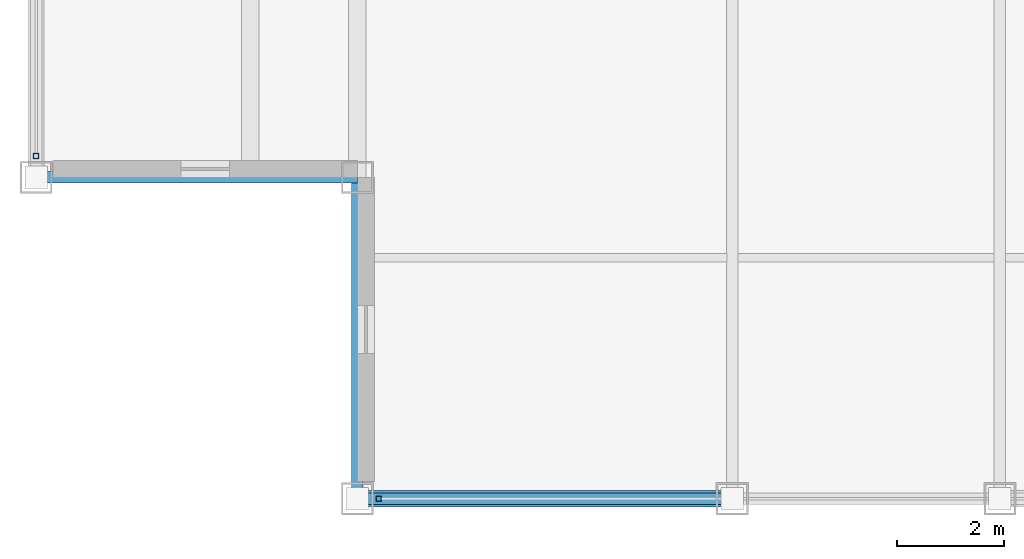
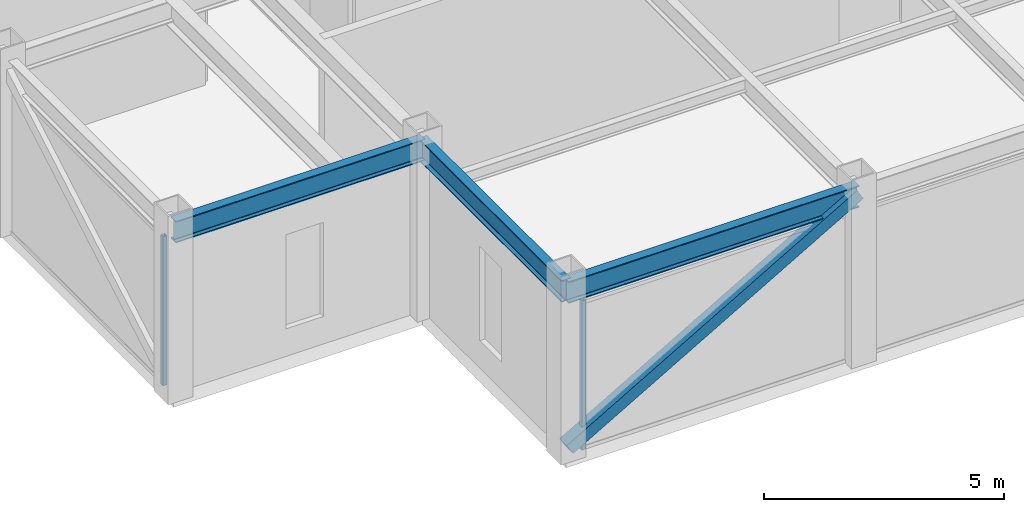
# One storey, part 2 of 27: 3 beams, 3 members, 2 elements without a shape of their own.
"""IFC4 building model written with IfcOpenShell, lengths in metres."""

from ifc_helpers import new_model, si_unit, direction, frame, origin, origin_2d, place, context, subcontext, project, spatial, hollow_rectangle, i_section, extrude, source, transform, mapped, material, material_profile, profile_set, type_object, element, aggregate, save


model = new_model("IFC4")

# Units and contexts
model_context = context("Model", 3, precision=1e-05, world=origin(), true_north=direction((0.0, 1.0)))
body_context = subcontext(model_context, "Body", "Model", "MODEL_VIEW")
ifc_project = project(units=[si_unit("LENGTHUNIT", "METRE"), si_unit("AREAUNIT", "SQUARE_METRE"), si_unit("VOLUMEUNIT", "CUBIC_METRE"), si_unit("PLANEANGLEUNIT", "RADIAN"), si_unit("MASSUNIT", "GRAM", prefix="KILO")], contexts=[model_context])

# Site, building, storey
site_placement = place(None, origin())
site = spatial("IfcSite", under=ifc_project, at=site_placement, CompositionType="ELEMENT")
building_placement = place(site_placement, origin())
building = spatial("IfcBuilding", under=site, at=building_placement, Name="Khorayat Bourse Tower", CompositionType="ELEMENT")
storey_placement = place(building_placement, frame((0.0, 0.0, 389.89990234375)))
storey = spatial("IfcBuildingStorey", under=building, at=storey_placement, Name="L92", CompositionType="ELEMENT", Elevation=389.89990234375)

# Beams
ifc_material_1 = material(Name="Steel ASTM A992 Grade 50", Category="steel")
ifc_material_profile_1 = material_profile(ifc_material_1, i_section(OverallWidth=0.214111328125, OverallDepth=0.549072265625, WebThickness=0.0146484375, FlangeThickness=0.023681640625, FilletRadius=0.013916015625, at=origin_2d()), Name="W530X138")
ifc_profile_set_1 = profile_set([ifc_material_profile_1], Name="Steel ASTM A992 Grade 50")
beam_type = type_object("IfcBeamType", Name="BM-SPAN-530", PredefinedType="SPANDREL", material=ifc_profile_set_1)
shared_shape_1 = source(origin(), body_context, "Body", "SweptSolid", [
    extrude(i_section(OverallWidth=0.214111328125, OverallDepth=0.549072265625, WebThickness=0.0146484375, FlangeThickness=0.023681640625, FilletRadius=0.013916015625, at=origin_2d()), origin(), (0.0, 0.0, 1.0), 6.0),
])
for number, where, z_axis, x_axis, name in (
    (1, (-24.0, -18.0, 4.175537109375), (1.0, 0.0, 0.0), (0.0, 1.0, 0.0), "L92 BM-SPAN-530 BM-L92-SPN-054"),
    (2, (-18.0, -24.0, 4.175537109375), (0.0, 1.0, 0.0), (-1.0, 0.0, 0.0), "L92 BM-SPAN-530 BM-L92-SPN-055"),
):
    element("IfcBeam", number, at=place(storey_placement, frame(where, z_axis=z_axis, x_axis=x_axis)), inside=storey, type_object=beam_type, Name=name, PredefinedType="SPANDREL", context=body_context, shape_type="MappedRepresentation", body=[
        mapped(shared_shape_1, transform((0.0, 0.0, 0.0), scale=1.0)),
    ])
shared_shape_2 = source(origin(), body_context, "Body", "SweptSolid", [
    extrude(i_section(OverallWidth=0.214111328125, OverallDepth=0.549072265625, WebThickness=0.0146484375, FlangeThickness=0.023681640625, FilletRadius=0.013916015625, at=origin_2d()), origin(), (0.0, 0.0, 1.0), 7.0),
])
beam_placement = place(storey_placement, frame((-18.0, -24.0, 4.175537109375), z_axis=(1.0, 0.0, 0.0), x_axis=(0.0, 1.0, 0.0)))
element("IfcBeam", 3, at=beam_placement, inside=storey, type_object=beam_type, Name="L92 BM-SPAN-530 BM-L92-SPN-024", PredefinedType="SPANDREL", context=body_context, shape_type="MappedRepresentation", body=[
    mapped(shared_shape_2, transform((0.0, 0.0, 0.0), scale=1.0)),
])

# Member
ifc_material_2 = material(Name="Steel EN 10025-2 S355J2", Category="steel")
ifc_material_profile_2 = material_profile(ifc_material_2, hollow_rectangle(XDim=0.300048828125, YDim=0.300048828125, WallThickness=0.01611328125, at=origin_2d()), Name="HSS 300x300x16")
ifc_profile_set_2 = profile_set([ifc_material_profile_2], Name="Steel EN 10025-2 S355J2")
member_type_1 = type_object("IfcMemberType", Name="MBR-CROWN-300", PredefinedType="USERDEFINED", material=ifc_profile_set_2)
shared_shape_3 = source(origin(), body_context, "Body", "SweptSolid", [
    extrude(hollow_rectangle(XDim=0.300048828125, YDim=0.300048828125, WallThickness=0.01611328125, at=origin_2d()), origin(), (0.0, 0.0, 1.0), 8.087158203125),
])
member_1_placement = place(storey_placement, frame((-18.0, -24.0, 0.2001953125), z_axis=(0.865577817, 0.0, 0.500774442955), x_axis=(0.0, 1.0, 0.0)))
element("IfcMember", 4, at=member_1_placement, inside=storey, type_object=member_type_1, Name="L92 Lantern Crown Frame Member 01", ObjectType="CROWN FRAME", PredefinedType="USERDEFINED", context=body_context, shape_type="MappedRepresentation", body=[
    mapped(shared_shape_3, transform((0.0, 0.0, 0.0), scale=1.0)),
])

# Curtain wall, member
ifc_material_3 = material(Name="Aluminium EN AW-6063 T6", Category="aluminium")
curtain_wall_type = type_object("IfcCurtainWallType", Name="CW-SYS-07", PredefinedType="NOTDEFINED", material=ifc_material_3)
curtain_wall_1_placement = place(storey_placement, origin())
curtain_wall_1 = element("IfcCurtainWall", 5, at=curtain_wall_1_placement, inside=storey, type_object=curtain_wall_type, Name="L92 Curtain Wall CW-L92-S1", PredefinedType="NOTDEFINED")
ifc_material_profile_3 = material_profile(ifc_material_3, hollow_rectangle(XDim=0.10009765625, YDim=0.10009765625, WallThickness=0.0048828125, at=origin_2d()), Name="ALU 100x100x5")
ifc_profile_set_3 = profile_set([ifc_material_profile_3], Name="Aluminium EN AW-6063 T6")
member_type_2 = type_object("IfcMemberType", Name="CWM-LANTERN-100", PredefinedType="MULLION", material=ifc_profile_set_3)
shared_shape_4 = source(origin(), body_context, "Body", "SweptSolid", [
    extrude(hollow_rectangle(XDim=0.10009765625, YDim=0.10009765625, WallThickness=0.0048828125, at=origin_2d()), origin(), (0.0, 0.0, 1.0), 3.800048828125),
])
member_2_placement = place(storey_placement, frame((-17.60009765625, -24.0, 0.0), z_axis=(0.0, 0.0, 1.0), x_axis=(0.0, 1.0, 0.0)))
member_2 = element("IfcMember", 6, at=member_2_placement, type_object=member_type_2, Name="CW-L92-S1 Vertical Mullion 1", PredefinedType="MULLION", context=body_context, shape_type="MappedRepresentation", body=[
    mapped(shared_shape_4, transform((0.0, 0.0, 0.0), scale=1.0)),
])
aggregate(curtain_wall_1, [member_2])

curtain_wall_2_placement = place(storey_placement, origin())
curtain_wall_2 = element("IfcCurtainWall", 7, at=curtain_wall_2_placement, inside=storey, type_object=curtain_wall_type, Name="L92 Curtain Wall CW-L92-W1", PredefinedType="NOTDEFINED")
member_3_placement = place(storey_placement, frame((-24.0, -17.60009765625, 0.0), z_axis=(0.0, 0.0, 1.0), x_axis=(-1.0, 0.0, 0.0)))
member_3 = element("IfcMember", 8, at=member_3_placement, type_object=member_type_2, Name="CW-L92-W1 Vertical Mullion 1", PredefinedType="MULLION", context=body_context, shape_type="MappedRepresentation", body=[
    mapped(shared_shape_4, transform((0.0, 0.0, 0.0), scale=1.0)),
])
aggregate(curtain_wall_2, [member_3])

save(model, "model.ifc")
